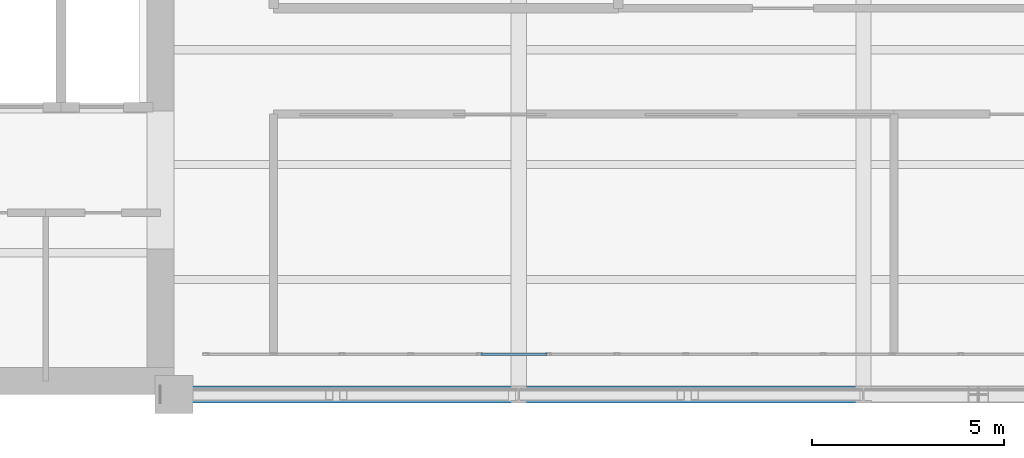
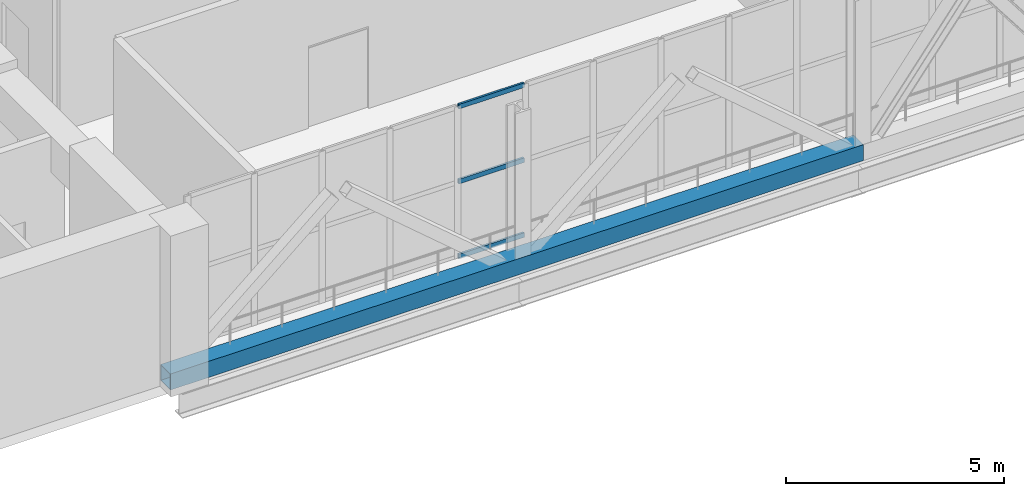
# One storey, part 3 of 27: 4 members, 1 element without a shape of its own.
"""IFC4 building model written with IfcOpenShell, lengths in metres."""

from ifc_helpers import new_model, si_unit, direction, frame, origin, origin_2d, place, context, subcontext, project, spatial, hollow_rectangle, extrude, material, layer, layer_set, material_profile, profile_set, type_object, element, aggregate, save


model = new_model("IFC4")

# Units and contexts
model_context = context("Model", 3, precision=1e-05, world=origin(), true_north=direction((0.0, 1.0)))
body_context = subcontext(model_context, "Body", "Model", "MODEL_VIEW")
ifc_project = project(units=[si_unit("LENGTHUNIT", "METRE"), si_unit("AREAUNIT", "SQUARE_METRE"), si_unit("VOLUMEUNIT", "CUBIC_METRE"), si_unit("PLANEANGLEUNIT", "RADIAN"), si_unit("MASSUNIT", "GRAM", prefix="KILO")], contexts=[model_context])

# Site, building, storey
site_placement = place(None, origin())
site = spatial("IfcSite", under=ifc_project, at=site_placement, CompositionType="ELEMENT")
building_placement = place(site_placement, origin())
building = spatial("IfcBuilding", under=site, at=building_placement, Name="Mawjdan Bourse Tower", CompositionType="ELEMENT")
storey_placement = place(building_placement, frame((0.0, 0.0, 155.699951171875)))
storey = spatial("IfcBuildingStorey", under=building, at=storey_placement, Name="L37", CompositionType="ELEMENT", Elevation=155.699951171875)

# Member
ifc_material_1 = material(Name="Structural Steel S460", Category="steel")
ifc_material_profile_1 = material_profile(ifc_material_1, hollow_rectangle(XDim=0.449951171875, YDim=0.449951171875, WallThickness=0.01611328125, at=origin_2d()), Name="HSS450X450X16")
ifc_profile_set_1 = profile_set([ifc_material_profile_1], Name="Structural Steel S460")
member_type_1 = type_object("IfcMemberType", Name="CHD-HSS450X450X16", PredefinedType="CHORD", material=ifc_profile_set_1)
member_1_placement = place(storey_placement, frame((23.64990234375, 3.0, 0.199951171875), z_axis=(1.0, 0.0, 0.0), x_axis=(0.0, 1.0, 0.0)))
element("IfcMember", 1, at=member_1_placement, inside=storey, type_object=member_type_1, Name="L37 East Outrigger Truss 1 Bottom Chord", PredefinedType="CHORD", context=body_context, shape_type="SweptSolid", body=[
    extrude(hollow_rectangle(XDim=0.449951171875, YDim=0.449951171875, WallThickness=0.01611328125, at=origin_2d()), origin(), (0.0, 0.0, 1.0), 18.35009765625),
])

# Curtain wall, members
ifc_material_2 = material(Name="Thermally Broken Aluminium and Solar Glass", Category="aluminium")
ifc_layer = layer(ifc_material_2, 0.219970703125)
ifc_layer_set = layer_set([ifc_layer], Name="Thermally Broken Aluminium and Solar Glass")
curtain_wall_type = type_object("IfcCurtainWallType", Name="CW-RFG", PredefinedType="USERDEFINED", material=ifc_layer_set)
curtain_wall_placement = place(storey_placement, origin())
curtain_wall = element("IfcCurtainWall", 2, at=curtain_wall_placement, inside=storey, type_object=curtain_wall_type, Name="L37 Refuge Band South Louvre Curtain Wall", ObjectType="REFUGE BAND LOUVRE SCREEN", PredefinedType="USERDEFINED")
ifc_material_3 = material(Name="Thermally Broken Anodised Aluminium", Category="aluminium")
ifc_material_profile_2 = material_profile(ifc_material_3, hollow_rectangle(XDim=0.054931640625, YDim=0.1298828125, WallThickness=0.00341796875, at=origin_2d()), Name="ALU-TRN-130X55")
ifc_profile_set_2 = profile_set([ifc_material_profile_2], Name="Thermally Broken Anodised Aluminium")
member_type_2 = type_object("IfcMemberType", Name="TRN-ALU-TRN-130X55", PredefinedType="USERDEFINED", material=ifc_profile_set_2)
member_2_placement = place(storey_placement, frame((32.01025390625, 4.050048828125, 0.027587890625), z_axis=(1.0, 0.0, 0.0), x_axis=(0.0, 1.0, 0.0)))
member_2 = element("IfcMember", 3, at=member_2_placement, type_object=member_type_2, Name="CW-RFG-L37-RFG-S transom 5.1", ObjectType="TRANSOM", PredefinedType="USERDEFINED", context=body_context, shape_type="SweptSolid", body=[
    extrude(hollow_rectangle(XDim=0.054931640625, YDim=0.1298828125, WallThickness=0.00341796875, at=origin_2d()), origin(), (0.0, 0.0, 1.0), 1.7294921875),
])
member_3_placement = place(storey_placement, frame((32.01025390625, 4.050048828125, 2.125), z_axis=(1.0, 0.0, 0.0), x_axis=(0.0, 1.0, 0.0)))
member_3 = element("IfcMember", 4, at=member_3_placement, type_object=member_type_2, Name="CW-RFG-L37-RFG-S transom 5.2", ObjectType="TRANSOM", PredefinedType="USERDEFINED", context=body_context, shape_type="SweptSolid", body=[
    extrude(hollow_rectangle(XDim=0.054931640625, YDim=0.1298828125, WallThickness=0.00341796875, at=origin_2d()), origin(), (0.0, 0.0, 1.0), 1.7294921875),
])
member_4_placement = place(storey_placement, frame((32.01025390625, 4.050048828125, 4.22265625), z_axis=(1.0, 0.0, 0.0), x_axis=(0.0, 1.0, 0.0)))
member_4 = element("IfcMember", 5, at=member_4_placement, type_object=member_type_2, Name="CW-RFG-L37-RFG-S transom 5.3", ObjectType="TRANSOM", PredefinedType="USERDEFINED", context=body_context, shape_type="SweptSolid", body=[
    extrude(hollow_rectangle(XDim=0.054931640625, YDim=0.1298828125, WallThickness=0.00341796875, at=origin_2d()), origin(), (0.0, 0.0, 1.0), 1.7294921875),
])
aggregate(curtain_wall, [member_2, member_3, member_4])

save(model, "model.ifc")
